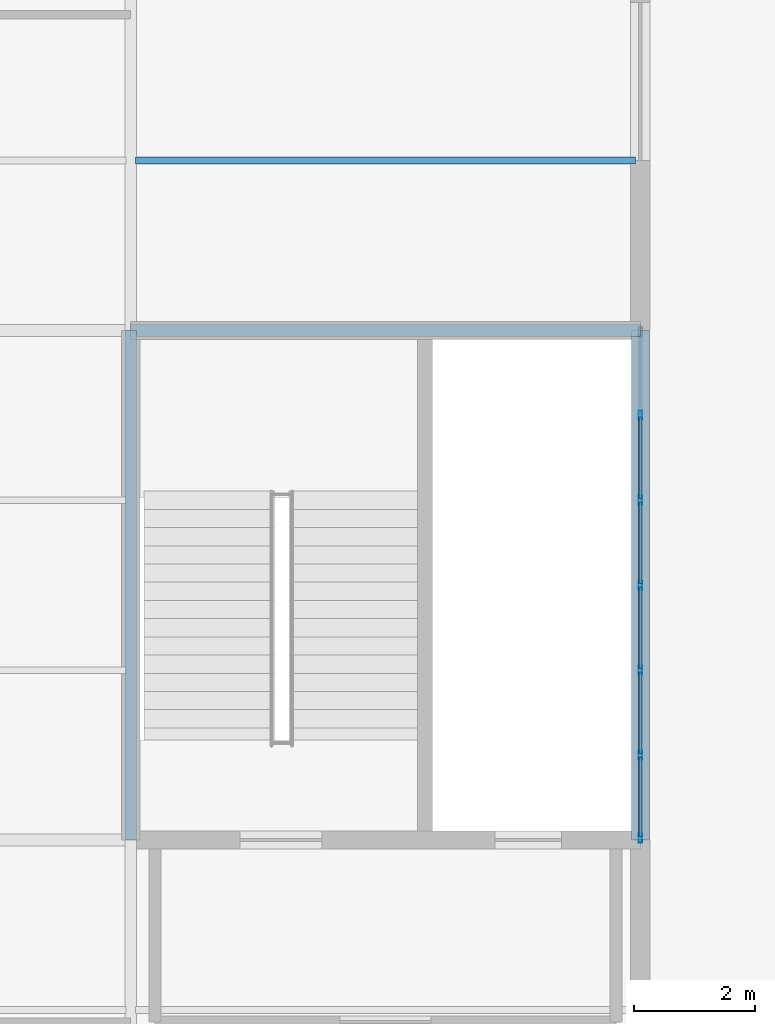
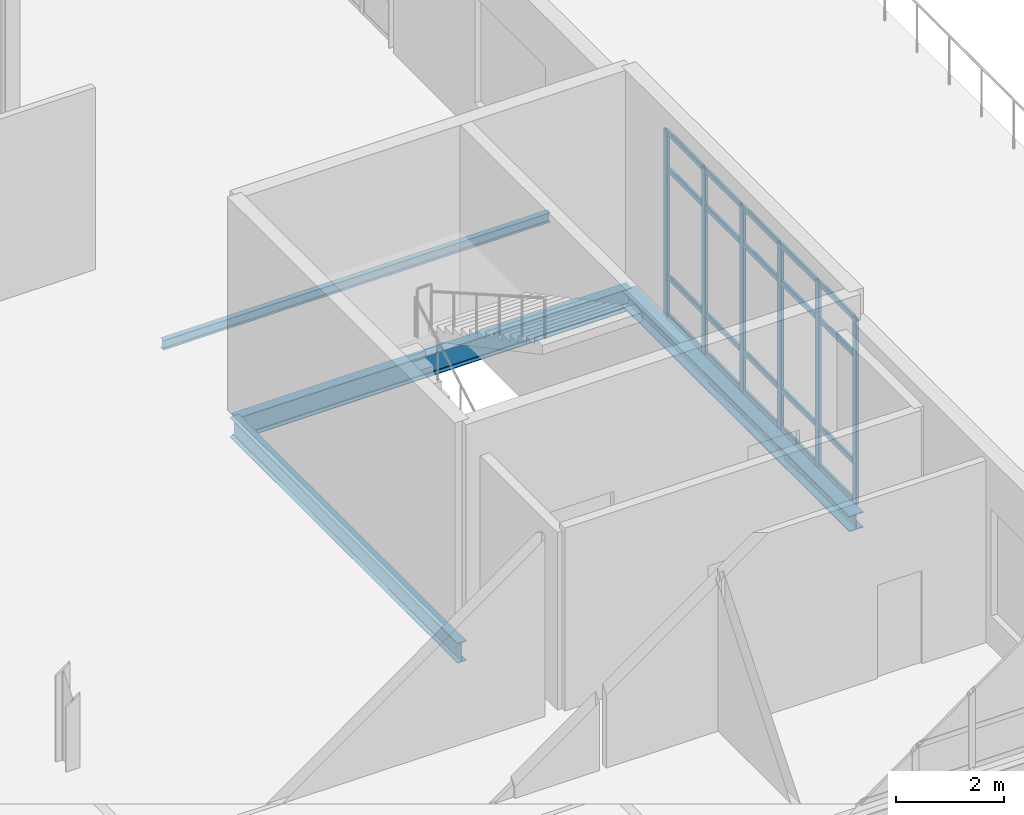
# One storey, part 12 of 28: 26 members, 4 beams, 1 element without a shape of its own.
"""IFC4 building model written with IfcOpenShell, lengths in metres."""

from ifc_helpers import new_model, si_unit, direction, frame, origin, origin_2d, place, context, subcontext, project, spatial, hollow_rectangle, i_section, extrude, material, layer, layer_set, material_profile, profile_set, type_object, element, aggregate, save


model = new_model("IFC4")

# Units and contexts
model_context = context("Model", 3, precision=1e-05, world=origin(), true_north=direction((0.0, 1.0)))
body_context = subcontext(model_context, "Body", "Model", "MODEL_VIEW")
ifc_project = project(units=[si_unit("LENGTHUNIT", "METRE"), si_unit("AREAUNIT", "SQUARE_METRE"), si_unit("VOLUMEUNIT", "CUBIC_METRE"), si_unit("PLANEANGLEUNIT", "RADIAN"), si_unit("MASSUNIT", "GRAM", prefix="KILO")], contexts=[model_context])

# Site, building, storey
site_placement = place(None, origin())
site = spatial("IfcSite", under=ifc_project, at=site_placement, CompositionType="ELEMENT")
building_placement = place(site_placement, origin())
building = spatial("IfcBuilding", under=site, at=building_placement, Name="Qalvenar Corner Mobility Hub", CompositionType="ELEMENT")
storey_placement = place(building_placement, frame((0.0, 0.0, 21.60009765625)))
storey = spatial("IfcBuildingStorey", under=building, at=storey_placement, Name="L05", CompositionType="ELEMENT", Elevation=21.60009765625)

# Beams
ifc_material_1 = material(Name="Steel S355", Category="steel")
ifc_material_profile_1 = material_profile(ifc_material_1, i_section(OverallWidth=0.18994140625, OverallDepth=0.449951171875, WebThickness=0.009521484375, FlangeThickness=0.0146484375, FilletRadius=0.02099609375, at=origin_2d()), Name="IPE450")
ifc_profile_set_1 = profile_set([ifc_material_profile_1], Name="Steel S355")
beam_type_1 = type_object("IfcBeamType", Name="BM-IPE450", PredefinedType="BEAM", material=ifc_profile_set_1)
beam_1_placement = place(storey_placement, frame((33.60009765625, 8.39990234375, -0.405029296875), z_axis=(0.0, 1.0, 0.0), x_axis=(-1.0, 0.0, 0.0)))
element("IfcBeam", 1, at=beam_1_placement, inside=storey, type_object=beam_type_1, Name="Primary Steel Girder GY-2996", PredefinedType="BEAM", context=body_context, shape_type="SweptSolid", body=[
    extrude(i_section(OverallWidth=0.18994140625, OverallDepth=0.449951171875, WebThickness=0.009521484375, FlangeThickness=0.0146484375, FilletRadius=0.02099609375, at=origin_2d()), origin(), (0.0, 0.0, 1.0), 8.400146484375),
])
ifc_material_profile_2 = material_profile(ifc_material_1, i_section(OverallWidth=0.199951171875, OverallDepth=0.5, WebThickness=0.01025390625, FlangeThickness=0.01611328125, FilletRadius=0.02099609375, at=origin_2d()), Name="IPE500")
ifc_profile_set_2 = profile_set([ifc_material_profile_2], Name="Steel S355")
beam_type_2 = type_object("IfcBeamType", Name="BM-IPE500", PredefinedType="BEAM", material=ifc_profile_set_2)
beam_2_placement = place(storey_placement, frame((33.60009765625, 16.800048828125, -0.43017578125), z_axis=(1.0, 0.0, 0.0), x_axis=(0.0, 1.0, 0.0)))
element("IfcBeam", 2, at=beam_2_placement, inside=storey, type_object=beam_type_2, Name="Primary Steel Girder GX-2959", PredefinedType="BEAM", context=body_context, shape_type="SweptSolid", body=[
    extrude(i_section(OverallWidth=0.199951171875, OverallDepth=0.5, WebThickness=0.01025390625, FlangeThickness=0.01611328125, FilletRadius=0.02099609375, at=origin_2d()), origin(), (0.0, 0.0, 1.0), 8.39990234375),
])
ifc_material_profile_3 = material_profile(ifc_material_1, i_section(OverallWidth=0.110107421875, OverallDepth=0.219970703125, WebThickness=0.005859375, FlangeThickness=0.00927734375, FilletRadius=0.011962890625, at=origin_2d()), Name="IPE220")
ifc_profile_set_3 = profile_set([ifc_material_profile_3], Name="Steel S355")
beam_type_3 = type_object("IfcBeamType", Name="BM-JST220", PredefinedType="JOIST", material=ifc_profile_set_3)
beam_3_placement = place(storey_placement, frame((33.677978515625, 19.60009765625, -0.2900390625), z_axis=(1.0, 0.0, 0.0), x_axis=(0.0, 1.0, 0.0)))
element("IfcBeam", 3, at=beam_3_placement, inside=storey, type_object=beam_type_3, Name="Composite Floor Joist J-3046", PredefinedType="JOIST", context=body_context, shape_type="SweptSolid", body=[
    extrude(i_section(OverallWidth=0.110107421875, OverallDepth=0.219970703125, WebThickness=0.005859375, FlangeThickness=0.00927734375, FilletRadius=0.011962890625, at=origin_2d()), origin(), (0.0, 0.0, 1.0), 8.244140625),
])
ifc_material_profile_4 = material_profile(ifc_material_1, i_section(OverallWidth=0.300048828125, OverallDepth=0.35009765625, WebThickness=0.010009765625, FlangeThickness=0.017578125, FilletRadius=0.027099609375, at=origin_2d()), Name="HEA360")
ifc_profile_set_4 = profile_set([ifc_material_profile_4], Name="Steel S355")
beam_type_4 = type_object("IfcBeamType", Name="BM-SPN360", PredefinedType="SPANDREL", material=ifc_profile_set_4)
beam_4_placement = place(storey_placement, frame((42.0, 8.39990234375, -0.4169921875), z_axis=(0.0, 1.0, 0.0), x_axis=(-1.0, 0.0, 0.0)))
element("IfcBeam", 4, at=beam_4_placement, inside=storey, type_object=beam_type_4, Name="Primary Steel Girder GY-3001", PredefinedType="SPANDREL", context=body_context, shape_type="SweptSolid", body=[
    extrude(i_section(OverallWidth=0.300048828125, OverallDepth=0.35009765625, WebThickness=0.010009765625, FlangeThickness=0.017578125, FilletRadius=0.027099609375, at=origin_2d()), origin(), (0.0, 0.0, 1.0), 8.400146484375),
])

# Curtain wall, members
ifc_material_2 = material(Name="Anodised Aluminium and Low-E Glazing", Category="aluminium")
ifc_layer = layer(ifc_material_2, 0.14990234375)
ifc_layer_set = layer_set([ifc_layer], Name="Anodised Aluminium and Low-E Glazing")
curtain_wall_type = type_object("IfcCurtainWallType", Name="CW-SPT-84X44", PredefinedType="NOTDEFINED", material=ifc_layer_set)
curtain_wall_placement = place(storey_placement, origin())
curtain_wall = element("IfcCurtainWall", 5, at=curtain_wall_placement, inside=storey, type_object=curtain_wall_type, Name="Glazed Curtain Wall CW-V3-L05-E1", PredefinedType="NOTDEFINED")
ifc_material_3 = material(Name="Anodised Aluminium 6063-T6", Category="aluminium")
ifc_material_profile_5 = material_profile(ifc_material_3, hollow_rectangle(XDim=0.06005859375, YDim=0.14990234375, WallThickness=0.00390625, InnerFilletRadius=0.00390625, OuterFilletRadius=0.008056640625, at=origin_2d()), Name="RHS150x60x4")
ifc_profile_set_5 = profile_set([ifc_material_profile_5], Name="Anodised Aluminium 6063-T6")
member_type_1 = type_object("IfcMemberType", Name="CW-MUL150", PredefinedType="MULLION", material=ifc_profile_set_5)
member_1_placement = place(storey_placement, frame((42.0, 8.429931640625, 0.0), z_axis=(0.0, 0.0, 1.0), x_axis=(-1.0, 0.0, 0.0)))
member_1 = element("IfcMember", 6, at=member_1_placement, type_object=member_type_1, Name="CW-06 mullion 1", PredefinedType="MULLION", context=body_context, shape_type="SweptSolid", body=[
    extrude(hollow_rectangle(XDim=0.06005859375, YDim=0.14990234375, WallThickness=0.00390625, InnerFilletRadius=0.00390625, OuterFilletRadius=0.008056640625, at=origin_2d()), origin(), (0.0, 0.0, 1.0), 4.169921875),
])
member_2_placement = place(storey_placement, frame((42.0, 9.800048828125, 0.0), z_axis=(0.0, 0.0, 1.0), x_axis=(-1.0, 0.0, 0.0)))
member_2 = element("IfcMember", 7, at=member_2_placement, type_object=member_type_1, Name="CW-06 mullion 2", PredefinedType="MULLION", context=body_context, shape_type="SweptSolid", body=[
    extrude(hollow_rectangle(XDim=0.06005859375, YDim=0.14990234375, WallThickness=0.00390625, InnerFilletRadius=0.00390625, OuterFilletRadius=0.008056640625, at=origin_2d()), origin(), (0.0, 0.0, 1.0), 4.169921875),
])
member_3_placement = place(storey_placement, frame((42.0, 11.199951171875, 0.0), z_axis=(0.0, 0.0, 1.0), x_axis=(-1.0, 0.0, 0.0)))
member_3 = element("IfcMember", 8, at=member_3_placement, type_object=member_type_1, Name="CW-06 mullion 3", PredefinedType="MULLION", context=body_context, shape_type="SweptSolid", body=[
    extrude(hollow_rectangle(XDim=0.06005859375, YDim=0.14990234375, WallThickness=0.00390625, InnerFilletRadius=0.00390625, OuterFilletRadius=0.008056640625, at=origin_2d()), origin(), (0.0, 0.0, 1.0), 4.169921875),
])
member_4_placement = place(storey_placement, frame((42.0, 12.60009765625, 0.0), z_axis=(0.0, 0.0, 1.0), x_axis=(-1.0, 0.0, 0.0)))
member_4 = element("IfcMember", 9, at=member_4_placement, type_object=member_type_1, Name="CW-06 mullion 4", PredefinedType="MULLION", context=body_context, shape_type="SweptSolid", body=[
    extrude(hollow_rectangle(XDim=0.06005859375, YDim=0.14990234375, WallThickness=0.00390625, InnerFilletRadius=0.00390625, OuterFilletRadius=0.008056640625, at=origin_2d()), origin(), (0.0, 0.0, 1.0), 4.169921875),
])
member_5_placement = place(storey_placement, frame((42.0, 14.0, 0.0), z_axis=(0.0, 0.0, 1.0), x_axis=(-1.0, 0.0, 0.0)))
member_5 = element("IfcMember", 10, at=member_5_placement, type_object=member_type_1, Name="CW-06 mullion 5", PredefinedType="MULLION", context=body_context, shape_type="SweptSolid", body=[
    extrude(hollow_rectangle(XDim=0.06005859375, YDim=0.14990234375, WallThickness=0.00390625, InnerFilletRadius=0.00390625, OuterFilletRadius=0.008056640625, at=origin_2d()), origin(), (0.0, 0.0, 1.0), 4.169921875),
])
member_6_placement = place(storey_placement, frame((42.0, 15.39990234375, 0.0), z_axis=(0.0, 0.0, 1.0), x_axis=(-1.0, 0.0, 0.0)))
member_6 = element("IfcMember", 11, at=member_6_placement, type_object=member_type_1, Name="CW-06 mullion 6", PredefinedType="MULLION", context=body_context, shape_type="SweptSolid", body=[
    extrude(hollow_rectangle(XDim=0.06005859375, YDim=0.14990234375, WallThickness=0.00390625, InnerFilletRadius=0.00390625, OuterFilletRadius=0.008056640625, at=origin_2d()), origin(), (0.0, 0.0, 1.0), 4.169921875),
])
ifc_material_profile_6 = material_profile(ifc_material_3, hollow_rectangle(XDim=0.054931640625, YDim=0.1201171875, WallThickness=0.00341796875, InnerFilletRadius=0.00341796875, OuterFilletRadius=0.007080078125, at=origin_2d()), Name="RHS120x55x3.5")
ifc_profile_set_6 = profile_set([ifc_material_profile_6], Name="Anodised Aluminium 6063-T6")
member_type_2 = type_object("IfcMemberType", Name="CW-TRN120", PredefinedType="USERDEFINED", material=ifc_profile_set_6)
member_7_placement = place(storey_placement, frame((42.0, 8.4599609375, 0.02734375), z_axis=(0.0, 1.0, 0.0), x_axis=(-1.0, 0.0, 0.0)))
member_7 = element("IfcMember", 12, at=member_7_placement, type_object=member_type_2, Name="CW-06 transom 1.1", ObjectType="TRANSOM", PredefinedType="USERDEFINED", context=body_context, shape_type="SweptSolid", body=[
    extrude(hollow_rectangle(XDim=0.054931640625, YDim=0.1201171875, WallThickness=0.00341796875, InnerFilletRadius=0.00341796875, OuterFilletRadius=0.007080078125, at=origin_2d()), origin(), (0.0, 0.0, 1.0), 1.31005859375),
])
member_8_placement = place(storey_placement, frame((42.0, 8.4599609375, 0.89990234375), z_axis=(0.0, 1.0, 0.0), x_axis=(-1.0, 0.0, 0.0)))
member_8 = element("IfcMember", 13, at=member_8_placement, type_object=member_type_2, Name="CW-06 transom 1.2", ObjectType="TRANSOM", PredefinedType="USERDEFINED", context=body_context, shape_type="SweptSolid", body=[
    extrude(hollow_rectangle(XDim=0.054931640625, YDim=0.1201171875, WallThickness=0.00341796875, InnerFilletRadius=0.00341796875, OuterFilletRadius=0.007080078125, at=origin_2d()), origin(), (0.0, 0.0, 1.0), 1.31005859375),
])
member_9_placement = place(storey_placement, frame((42.0, 8.4599609375, 3.31982421875), z_axis=(0.0, 1.0, 0.0), x_axis=(-1.0, 0.0, 0.0)))
member_9 = element("IfcMember", 14, at=member_9_placement, type_object=member_type_2, Name="CW-06 transom 1.3", ObjectType="TRANSOM", PredefinedType="USERDEFINED", context=body_context, shape_type="SweptSolid", body=[
    extrude(hollow_rectangle(XDim=0.054931640625, YDim=0.1201171875, WallThickness=0.00341796875, InnerFilletRadius=0.00341796875, OuterFilletRadius=0.007080078125, at=origin_2d()), origin(), (0.0, 0.0, 1.0), 1.31005859375),
])
member_10_placement = place(storey_placement, frame((42.0, 8.4599609375, 4.142333984375), z_axis=(0.0, 1.0, 0.0), x_axis=(-1.0, 0.0, 0.0)))
member_10 = element("IfcMember", 15, at=member_10_placement, type_object=member_type_2, Name="CW-06 transom 1.4", ObjectType="TRANSOM", PredefinedType="USERDEFINED", context=body_context, shape_type="SweptSolid", body=[
    extrude(hollow_rectangle(XDim=0.054931640625, YDim=0.1201171875, WallThickness=0.00341796875, InnerFilletRadius=0.00341796875, OuterFilletRadius=0.007080078125, at=origin_2d()), origin(), (0.0, 0.0, 1.0), 1.31005859375),
])
member_11_placement = place(storey_placement, frame((42.0, 9.830078125, 0.02734375), z_axis=(0.0, 1.0, 0.0), x_axis=(-1.0, 0.0, 0.0)))
member_11 = element("IfcMember", 16, at=member_11_placement, type_object=member_type_2, Name="CW-06 transom 2.1", ObjectType="TRANSOM", PredefinedType="USERDEFINED", context=body_context, shape_type="SweptSolid", body=[
    extrude(hollow_rectangle(XDim=0.054931640625, YDim=0.1201171875, WallThickness=0.00341796875, InnerFilletRadius=0.00341796875, OuterFilletRadius=0.007080078125, at=origin_2d()), origin(), (0.0, 0.0, 1.0), 1.33984375),
])
member_12_placement = place(storey_placement, frame((42.0, 9.830078125, 0.89990234375), z_axis=(0.0, 1.0, 0.0), x_axis=(-1.0, 0.0, 0.0)))
member_12 = element("IfcMember", 17, at=member_12_placement, type_object=member_type_2, Name="CW-06 transom 2.2", ObjectType="TRANSOM", PredefinedType="USERDEFINED", context=body_context, shape_type="SweptSolid", body=[
    extrude(hollow_rectangle(XDim=0.054931640625, YDim=0.1201171875, WallThickness=0.00341796875, InnerFilletRadius=0.00341796875, OuterFilletRadius=0.007080078125, at=origin_2d()), origin(), (0.0, 0.0, 1.0), 1.33984375),
])
member_13_placement = place(storey_placement, frame((42.0, 9.830078125, 3.31982421875), z_axis=(0.0, 1.0, 0.0), x_axis=(-1.0, 0.0, 0.0)))
member_13 = element("IfcMember", 18, at=member_13_placement, type_object=member_type_2, Name="CW-06 transom 2.3", ObjectType="TRANSOM", PredefinedType="USERDEFINED", context=body_context, shape_type="SweptSolid", body=[
    extrude(hollow_rectangle(XDim=0.054931640625, YDim=0.1201171875, WallThickness=0.00341796875, InnerFilletRadius=0.00341796875, OuterFilletRadius=0.007080078125, at=origin_2d()), origin(), (0.0, 0.0, 1.0), 1.33984375),
])
member_14_placement = place(storey_placement, frame((42.0, 9.830078125, 4.142333984375), z_axis=(0.0, 1.0, 0.0), x_axis=(-1.0, 0.0, 0.0)))
member_14 = element("IfcMember", 19, at=member_14_placement, type_object=member_type_2, Name="CW-06 transom 2.4", ObjectType="TRANSOM", PredefinedType="USERDEFINED", context=body_context, shape_type="SweptSolid", body=[
    extrude(hollow_rectangle(XDim=0.054931640625, YDim=0.1201171875, WallThickness=0.00341796875, InnerFilletRadius=0.00341796875, OuterFilletRadius=0.007080078125, at=origin_2d()), origin(), (0.0, 0.0, 1.0), 1.33984375),
])
member_15_placement = place(storey_placement, frame((42.0, 11.22998046875, 0.02734375), z_axis=(0.0, 1.0, 0.0), x_axis=(-1.0, 0.0, 0.0)))
member_15 = element("IfcMember", 20, at=member_15_placement, type_object=member_type_2, Name="CW-06 transom 3.1", ObjectType="TRANSOM", PredefinedType="USERDEFINED", context=body_context, shape_type="SweptSolid", body=[
    extrude(hollow_rectangle(XDim=0.054931640625, YDim=0.1201171875, WallThickness=0.00341796875, InnerFilletRadius=0.00341796875, OuterFilletRadius=0.007080078125, at=origin_2d()), origin(), (0.0, 0.0, 1.0), 1.340087890625),
])
member_16_placement = place(storey_placement, frame((42.0, 11.22998046875, 0.89990234375), z_axis=(0.0, 1.0, 0.0), x_axis=(-1.0, 0.0, 0.0)))
member_16 = element("IfcMember", 21, at=member_16_placement, type_object=member_type_2, Name="CW-06 transom 3.2", ObjectType="TRANSOM", PredefinedType="USERDEFINED", context=body_context, shape_type="SweptSolid", body=[
    extrude(hollow_rectangle(XDim=0.054931640625, YDim=0.1201171875, WallThickness=0.00341796875, InnerFilletRadius=0.00341796875, OuterFilletRadius=0.007080078125, at=origin_2d()), origin(), (0.0, 0.0, 1.0), 1.340087890625),
])
member_17_placement = place(storey_placement, frame((42.0, 11.22998046875, 3.31982421875), z_axis=(0.0, 1.0, 0.0), x_axis=(-1.0, 0.0, 0.0)))
member_17 = element("IfcMember", 22, at=member_17_placement, type_object=member_type_2, Name="CW-06 transom 3.3", ObjectType="TRANSOM", PredefinedType="USERDEFINED", context=body_context, shape_type="SweptSolid", body=[
    extrude(hollow_rectangle(XDim=0.054931640625, YDim=0.1201171875, WallThickness=0.00341796875, InnerFilletRadius=0.00341796875, OuterFilletRadius=0.007080078125, at=origin_2d()), origin(), (0.0, 0.0, 1.0), 1.340087890625),
])
member_18_placement = place(storey_placement, frame((42.0, 11.22998046875, 4.142333984375), z_axis=(0.0, 1.0, 0.0), x_axis=(-1.0, 0.0, 0.0)))
member_18 = element("IfcMember", 23, at=member_18_placement, type_object=member_type_2, Name="CW-06 transom 3.4", ObjectType="TRANSOM", PredefinedType="USERDEFINED", context=body_context, shape_type="SweptSolid", body=[
    extrude(hollow_rectangle(XDim=0.054931640625, YDim=0.1201171875, WallThickness=0.00341796875, InnerFilletRadius=0.00341796875, OuterFilletRadius=0.007080078125, at=origin_2d()), origin(), (0.0, 0.0, 1.0), 1.340087890625),
])
member_19_placement = place(storey_placement, frame((42.0, 12.6298828125, 0.02734375), z_axis=(0.0, 1.0, 0.0), x_axis=(-1.0, 0.0, 0.0)))
member_19 = element("IfcMember", 24, at=member_19_placement, type_object=member_type_2, Name="CW-06 transom 4.1", ObjectType="TRANSOM", PredefinedType="USERDEFINED", context=body_context, shape_type="SweptSolid", body=[
    extrude(hollow_rectangle(XDim=0.054931640625, YDim=0.1201171875, WallThickness=0.00341796875, InnerFilletRadius=0.00341796875, OuterFilletRadius=0.007080078125, at=origin_2d()), origin(), (0.0, 0.0, 1.0), 1.340087890625),
])
member_20_placement = place(storey_placement, frame((42.0, 12.6298828125, 0.89990234375), z_axis=(0.0, 1.0, 0.0), x_axis=(-1.0, 0.0, 0.0)))
member_20 = element("IfcMember", 25, at=member_20_placement, type_object=member_type_2, Name="CW-06 transom 4.2", ObjectType="TRANSOM", PredefinedType="USERDEFINED", context=body_context, shape_type="SweptSolid", body=[
    extrude(hollow_rectangle(XDim=0.054931640625, YDim=0.1201171875, WallThickness=0.00341796875, InnerFilletRadius=0.00341796875, OuterFilletRadius=0.007080078125, at=origin_2d()), origin(), (0.0, 0.0, 1.0), 1.340087890625),
])
member_21_placement = place(storey_placement, frame((42.0, 12.6298828125, 3.31982421875), z_axis=(0.0, 1.0, 0.0), x_axis=(-1.0, 0.0, 0.0)))
member_21 = element("IfcMember", 26, at=member_21_placement, type_object=member_type_2, Name="CW-06 transom 4.3", ObjectType="TRANSOM", PredefinedType="USERDEFINED", context=body_context, shape_type="SweptSolid", body=[
    extrude(hollow_rectangle(XDim=0.054931640625, YDim=0.1201171875, WallThickness=0.00341796875, InnerFilletRadius=0.00341796875, OuterFilletRadius=0.007080078125, at=origin_2d()), origin(), (0.0, 0.0, 1.0), 1.340087890625),
])
member_22_placement = place(storey_placement, frame((42.0, 12.6298828125, 4.142333984375), z_axis=(0.0, 1.0, 0.0), x_axis=(-1.0, 0.0, 0.0)))
member_22 = element("IfcMember", 27, at=member_22_placement, type_object=member_type_2, Name="CW-06 transom 4.4", ObjectType="TRANSOM", PredefinedType="USERDEFINED", context=body_context, shape_type="SweptSolid", body=[
    extrude(hollow_rectangle(XDim=0.054931640625, YDim=0.1201171875, WallThickness=0.00341796875, InnerFilletRadius=0.00341796875, OuterFilletRadius=0.007080078125, at=origin_2d()), origin(), (0.0, 0.0, 1.0), 1.340087890625),
])
member_23_placement = place(storey_placement, frame((42.0, 14.030029296875, 0.02734375), z_axis=(0.0, 1.0, 0.0), x_axis=(-1.0, 0.0, 0.0)))
member_23 = element("IfcMember", 28, at=member_23_placement, type_object=member_type_2, Name="CW-06 transom 5.1", ObjectType="TRANSOM", PredefinedType="USERDEFINED", context=body_context, shape_type="SweptSolid", body=[
    extrude(hollow_rectangle(XDim=0.054931640625, YDim=0.1201171875, WallThickness=0.00341796875, InnerFilletRadius=0.00341796875, OuterFilletRadius=0.007080078125, at=origin_2d()), origin(), (0.0, 0.0, 1.0), 1.340087890625),
])
member_24_placement = place(storey_placement, frame((42.0, 14.030029296875, 0.89990234375), z_axis=(0.0, 1.0, 0.0), x_axis=(-1.0, 0.0, 0.0)))
member_24 = element("IfcMember", 29, at=member_24_placement, type_object=member_type_2, Name="CW-06 transom 5.2", ObjectType="TRANSOM", PredefinedType="USERDEFINED", context=body_context, shape_type="SweptSolid", body=[
    extrude(hollow_rectangle(XDim=0.054931640625, YDim=0.1201171875, WallThickness=0.00341796875, InnerFilletRadius=0.00341796875, OuterFilletRadius=0.007080078125, at=origin_2d()), origin(), (0.0, 0.0, 1.0), 1.340087890625),
])
member_25_placement = place(storey_placement, frame((42.0, 14.030029296875, 3.31982421875), z_axis=(0.0, 1.0, 0.0), x_axis=(-1.0, 0.0, 0.0)))
member_25 = element("IfcMember", 30, at=member_25_placement, type_object=member_type_2, Name="CW-06 transom 5.3", ObjectType="TRANSOM", PredefinedType="USERDEFINED", context=body_context, shape_type="SweptSolid", body=[
    extrude(hollow_rectangle(XDim=0.054931640625, YDim=0.1201171875, WallThickness=0.00341796875, InnerFilletRadius=0.00341796875, OuterFilletRadius=0.007080078125, at=origin_2d()), origin(), (0.0, 0.0, 1.0), 1.340087890625),
])
member_26_placement = place(storey_placement, frame((42.0, 14.030029296875, 4.142333984375), z_axis=(0.0, 1.0, 0.0), x_axis=(-1.0, 0.0, 0.0)))
member_26 = element("IfcMember", 31, at=member_26_placement, type_object=member_type_2, Name="CW-06 transom 5.4", ObjectType="TRANSOM", PredefinedType="USERDEFINED", context=body_context, shape_type="SweptSolid", body=[
    extrude(hollow_rectangle(XDim=0.054931640625, YDim=0.1201171875, WallThickness=0.00341796875, InnerFilletRadius=0.00341796875, OuterFilletRadius=0.007080078125, at=origin_2d()), origin(), (0.0, 0.0, 1.0), 1.340087890625),
])
aggregate(curtain_wall, [member_1, member_2, member_3, member_4, member_5, member_6, member_7, member_8, member_9, member_10, member_11, member_12, member_13, member_14, member_15, member_16, member_17, member_18, member_19, member_20, member_21, member_22, member_23, member_24, member_25, member_26])

save(model, "model.ifc")
